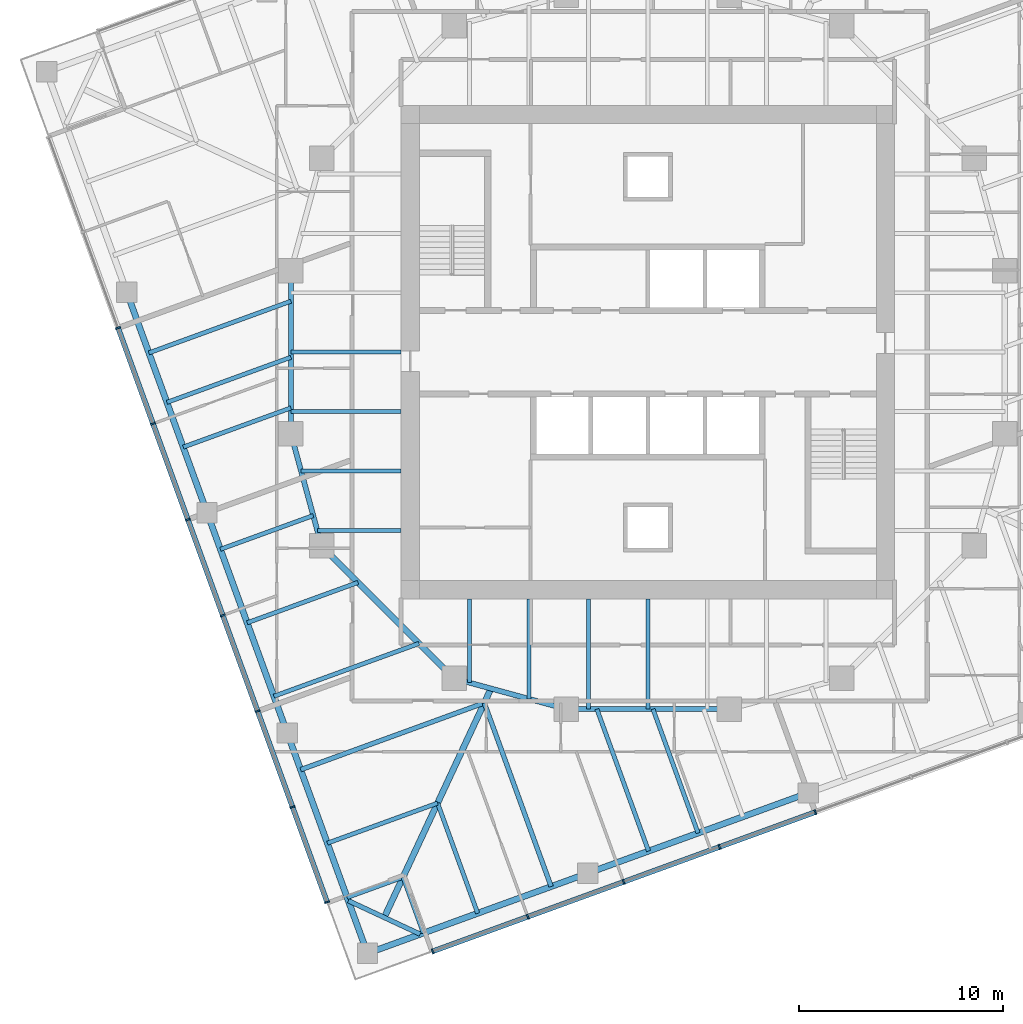
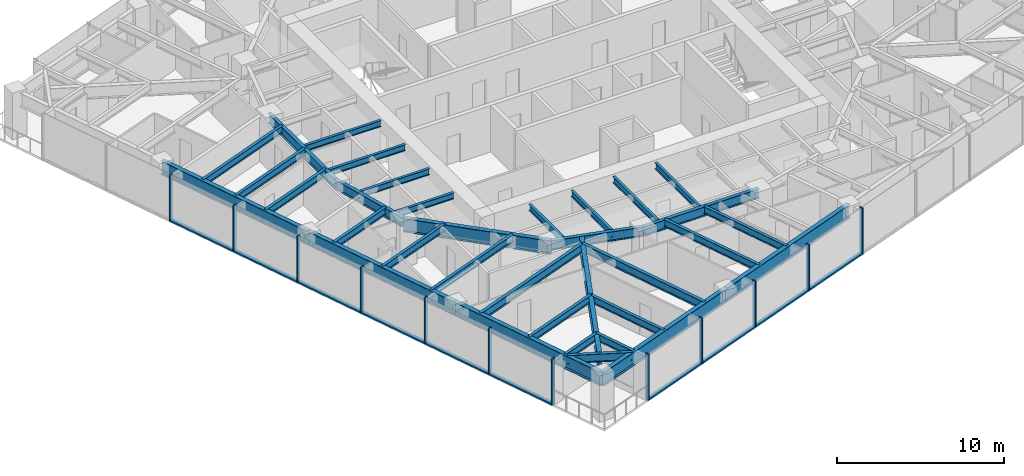
# One storey, part 2 of 13: 34 beams, 22 members, 2 elements without a shape of their own.
"""IFC4 building model written with IfcOpenShell, lengths in metres."""

from ifc_helpers import new_model, si_unit, direction, frame, origin, origin_2d, place, context, subcontext, project, spatial, rectangle, i_section, extrude, material, material_profile, profile_set, type_object, element, aggregate, save


model = new_model("IFC4")

# Units and contexts
model_context = context("Model", 3, precision=1e-05, world=origin(), true_north=direction((0.0, 1.0)))
body_context = subcontext(model_context, "Body", "Model", "MODEL_VIEW")
ifc_project = project(units=[si_unit("LENGTHUNIT", "METRE"), si_unit("AREAUNIT", "SQUARE_METRE"), si_unit("VOLUMEUNIT", "CUBIC_METRE"), si_unit("PLANEANGLEUNIT", "RADIAN"), si_unit("MASSUNIT", "GRAM", prefix="KILO")], contexts=[model_context])

# Site, building, storey
site_placement = place(None, origin())
site = spatial("IfcSite", under=ifc_project, at=site_placement, CompositionType="ELEMENT")
building_placement = place(site_placement, origin())
building = spatial("IfcBuilding", under=site, at=building_placement, Name="Torsade Residences", CompositionType="ELEMENT")
storey_placement = place(building_placement, frame((0.0, 0.0, 164.199951171875)))
storey = spatial("IfcBuildingStorey", under=building, at=storey_placement, Name="L45", CompositionType="ELEMENT", Elevation=164.199951171875)

# Beams
ifc_material_1 = material(Name="Steel grade 300", Category="steel")
ifc_material_profile_1 = material_profile(ifc_material_1, i_section(OverallWidth=0.300048828125, OverallDepth=0.89990234375, WebThickness=0.011962890625, FlangeThickness=0.02490234375, at=origin_2d()), Name="900WB175")
ifc_profile_set_1 = profile_set([ifc_material_profile_1], Name="Steel grade 300")
beam_type_1 = type_object("IfcBeamType", Name="CORNER GIRDER 900WB175", PredefinedType="BEAM", material=ifc_profile_set_1)
beam_1_placement = place(storey_placement, frame((27.075439453125, 2.282958984375, 2.800048828125), z_axis=(0.422616712682, 0.906308509373, 0.0), x_axis=(-0.906308509373, 0.422616712682, 0.0)))
element("IfcBeam", 1, at=beam_1_placement, inside=storey, type_object=beam_type_1, Name="Corner girder 01 L46", PredefinedType="BEAM", context=body_context, shape_type="SweptSolid", body=[
    extrude(i_section(OverallWidth=0.300048828125, OverallDepth=0.89990234375, WebThickness=0.011962890625, FlangeThickness=0.02490234375, at=origin_2d()), origin(), (0.0, 0.0, 1.0), 12.3837890625),
])
ifc_material_2 = material(Name="Steel grade 300", Category="steel")
ifc_material_profile_2 = material_profile(ifc_material_2, i_section(OverallWidth=0.22802734375, OverallDepth=0.60205078125, WebThickness=0.010498046875, FlangeThickness=0.014892578125, FilletRadius=0.013916015625, at=origin_2d()), Name="610UB101")
ifc_profile_set_2 = profile_set([ifc_material_profile_2], Name="Steel grade 300")
beam_type_2 = type_object("IfcBeamType", Name="CORNER TRIMMER 610UB101", PredefinedType="BEAM", material=ifc_profile_set_2)
beam_2_placement = place(storey_placement, frame((28.837646484375, 1.461181640625, 2.948974609375), z_axis=(-0.906309798645, 0.422613947806, 0.0), x_axis=(-0.422613947806, -0.906309798645, 0.0)))
element("IfcBeam", 2, at=beam_2_placement, inside=storey, type_object=beam_type_2, Name="Corner trimmer 01 L46", PredefinedType="BEAM", context=body_context, shape_type="SweptSolid", body=[
    extrude(i_section(OverallWidth=0.22802734375, OverallDepth=0.60205078125, WebThickness=0.010498046875, FlangeThickness=0.014892578125, FilletRadius=0.013916015625, at=origin_2d()), origin(), (0.0, 0.0, 1.0), 3.888916015625),
])
ifc_material_3 = material(Name="Steel grade 300", Category="steel")
ifc_material_profile_3 = material_profile(ifc_material_3, i_section(OverallWidth=0.300048828125, OverallDepth=1.0, WebThickness=0.01611328125, FlangeThickness=0.028076171875, at=origin_2d()), Name="1000WB215")
ifc_profile_set_3 = profile_set([ifc_material_profile_3], Name="Steel grade 300")
beam_type_3 = type_object("IfcBeamType", Name="EDGE BEAM 1000WB215", PredefinedType="SPANDREL", material=ifc_profile_set_3)
beam_3_placement = place(storey_placement, frame((26.25341796875, 0.5205078125, 2.75), z_axis=(0.93969110915, 0.342024296483, 0.0), x_axis=(-0.342024296483, 0.93969110915, 0.0)))
element("IfcBeam", 3, at=beam_3_placement, inside=storey, type_object=beam_type_3, Name="Edge beam 01 L46", PredefinedType="SPANDREL", context=body_context, shape_type="SweptSolid", body=[
    extrude(i_section(OverallWidth=0.300048828125, OverallDepth=1.0, WebThickness=0.01611328125, FlangeThickness=0.028076171875, at=origin_2d()), origin(), (0.0, 0.0, 1.0), 11.500244140625),
])
for number, where, z_axis, x_axis, name in (
    (4, (37.06005859375, 4.453857421875, 2.75), (0.939695448801, 0.342012373318, 0.0), (-0.342012373318, 0.939695448801, 0.0), "Edge beam 02 L46"),
    (5, (14.453857421875, 32.93994140625, 2.75), (0.342012373318, -0.939695448801, 0.0), (0.939695448801, 0.342012373318, 0.0), "Edge beam 14 L46"),
    (6, (18.386962890625, 22.133544921875, 2.75), (0.342031119628, -0.939688625666, 0.0), (0.939688625666, 0.342031119628, 0.0), "Edge beam 15 L46"),
    (7, (22.3203125, 11.3271484375, 2.75), (0.342005550448, -0.939697932031, 0.0), (0.939697932031, 0.342005550448, 0.0), "Edge beam 16 L46"),
):
    element("IfcBeam", number, at=place(storey_placement, frame(where, z_axis=z_axis, x_axis=x_axis)), inside=storey, type_object=beam_type_3, Name=name, PredefinedType="SPANDREL", context=body_context, shape_type="SweptSolid", body=[
        extrude(i_section(OverallWidth=0.300048828125, OverallDepth=1.0, WebThickness=0.01611328125, FlangeThickness=0.028076171875, at=origin_2d()), origin(), (0.0, 0.0, 1.0), 11.5),
    ])
ifc_material_4 = material(Name="Steel grade 300", Category="steel")
ifc_material_profile_4 = material_profile(ifc_material_4, i_section(OverallWidth=0.18994140625, OverallDepth=0.4541015625, WebThickness=0.008544921875, FlangeThickness=0.0126953125, FilletRadius=0.011474609375, at=origin_2d()), Name="460UB67.1")
ifc_profile_set_4 = profile_set([ifc_material_profile_4], Name="Steel grade 300")
beam_type_4 = type_object("IfcBeamType", Name="INNER FLOOR BEAM 460UB67.1", PredefinedType="JOIST", material=ifc_profile_set_4)
for number, where, z_axis, x_axis, name in (
    (8, (40.0, 17.89990234375, 3.02294921875), (0.0, -1.0, 0.0), (1.0, 0.0, 0.0), "Inner floor beam IS04 L46"),
    (9, (37.08740234375, 17.89990234375, 3.02294921875), (0.0, -1.0, 0.0), (1.0, 0.0, 0.0), "Inner floor beam IS05 L46"),
):
    element("IfcBeam", number, at=place(storey_placement, frame(where, z_axis=z_axis, x_axis=x_axis)), inside=storey, type_object=beam_type_4, Name=name, PredefinedType="JOIST", context=body_context, shape_type="SweptSolid", body=[
        extrude(i_section(OverallWidth=0.18994140625, OverallDepth=0.4541015625, WebThickness=0.008544921875, FlangeThickness=0.0126953125, FilletRadius=0.011474609375, at=origin_2d()), origin(), (0.0, 0.0, 1.0), 5.39990234375),
    ])
beam_4_placement = place(storey_placement, frame((34.175048828125, 17.89990234375, 3.02294921875), z_axis=(0.0, -1.0, 0.0), x_axis=(1.0, 0.0, 0.0)))
element("IfcBeam", 10, at=beam_4_placement, inside=storey, type_object=beam_type_4, Name="Inner floor beam IS06 L46", PredefinedType="JOIST", context=body_context, shape_type="SweptSolid", body=[
    extrude(i_section(OverallWidth=0.18994140625, OverallDepth=0.4541015625, WebThickness=0.008544921875, FlangeThickness=0.0126953125, FilletRadius=0.011474609375, at=origin_2d()), origin(), (0.0, 0.0, 1.0), 4.902099609375),
])
beam_5_placement = place(storey_placement, frame((31.262451171875, 17.89990234375, 3.02294921875), z_axis=(0.0, -1.0, 0.0), x_axis=(1.0, 0.0, 0.0)))
element("IfcBeam", 11, at=beam_5_placement, inside=storey, type_object=beam_type_4, Name="Inner floor beam IS07 L46", PredefinedType="JOIST", context=body_context, shape_type="SweptSolid", body=[
    extrude(i_section(OverallWidth=0.18994140625, OverallDepth=0.4541015625, WebThickness=0.008544921875, FlangeThickness=0.0126953125, FilletRadius=0.011474609375, at=origin_2d()), origin(), (0.0, 0.0, 1.0), 4.10791015625),
])
for number, where, z_axis, x_axis, name in (
    (12, (27.89990234375, 30.0, 3.02294921875), (-1.0, 0.0, 0.0), (0.0, -1.0, 0.0), "Inner floor beam IW04 L46"),
    (13, (27.89990234375, 27.08740234375, 3.02294921875), (-1.0, 0.0, 0.0), (0.0, -1.0, 0.0), "Inner floor beam IW05 L46"),
):
    element("IfcBeam", number, at=place(storey_placement, frame(where, z_axis=z_axis, x_axis=x_axis)), inside=storey, type_object=beam_type_4, Name=name, PredefinedType="JOIST", context=body_context, shape_type="SweptSolid", body=[
        extrude(i_section(OverallWidth=0.18994140625, OverallDepth=0.4541015625, WebThickness=0.008544921875, FlangeThickness=0.0126953125, FilletRadius=0.011474609375, at=origin_2d()), origin(), (0.0, 0.0, 1.0), 5.39990234375),
    ])
beam_6_placement = place(storey_placement, frame((27.89990234375, 24.175048828125, 3.02294921875), z_axis=(-1.0, 0.0, 0.0), x_axis=(0.0, -1.0, 0.0)))
element("IfcBeam", 14, at=beam_6_placement, inside=storey, type_object=beam_type_4, Name="Inner floor beam IW06 L46", PredefinedType="JOIST", context=body_context, shape_type="SweptSolid", body=[
    extrude(i_section(OverallWidth=0.18994140625, OverallDepth=0.4541015625, WebThickness=0.008544921875, FlangeThickness=0.0126953125, FilletRadius=0.011474609375, at=origin_2d()), origin(), (0.0, 0.0, 1.0), 4.902099609375),
])
beam_7_placement = place(storey_placement, frame((27.89990234375, 21.262451171875, 3.02294921875), z_axis=(-1.0, 0.0, 0.0), x_axis=(0.0, -1.0, 0.0)))
element("IfcBeam", 15, at=beam_7_placement, inside=storey, type_object=beam_type_4, Name="Inner floor beam IW07 L46", PredefinedType="JOIST", context=body_context, shape_type="SweptSolid", body=[
    extrude(i_section(OverallWidth=0.18994140625, OverallDepth=0.4541015625, WebThickness=0.008544921875, FlangeThickness=0.0126953125, FilletRadius=0.011474609375, at=origin_2d()), origin(), (0.0, 0.0, 1.0), 4.10791015625),
])

# Curtain wall, members
ifc_material_5 = material(Name="Aluminium and glass", Category="aluminium")
curtain_wall_type = type_object("IfcCurtainWallType", Name="FRITTED GLASS CURTAIN WALL MID ZONE", PredefinedType="NOTDEFINED", material=ifc_material_5)
curtain_wall_1_placement = place(storey_placement, origin())
curtain_wall_1 = element("IfcCurtainWall", 16, at=curtain_wall_1_placement, inside=storey, type_object=curtain_wall_type, Name="Curtain wall L45 face 1", PredefinedType="NOTDEFINED")
ifc_material_6 = material(Name="Aluminium mullion", Category="aluminium")
ifc_material_profile_5 = material_profile(ifc_material_6, rectangle(XDim=0.25, YDim=0.080078125, at=origin_2d()), Name="MID ZONE CURTAIN WALL MULLION 250x80")
ifc_profile_set_5 = profile_set([ifc_material_profile_5], Name="Aluminium mullion")
member_type_1 = type_object("IfcMemberType", Name="MID ZONE CURTAIN WALL MULLION 250x80", PredefinedType="MULLION", material=ifc_profile_set_5)
member_1_placement = place(storey_placement, frame((29.4521484375, 0.62060546875, 0.0), z_axis=(0.0, 0.0, 1.0), x_axis=(-0.342020147869, 0.939692619132, 0.0)))
member_1 = element("IfcMember", 17, at=member_1_placement, type_object=member_type_1, Name="Mullion 1", PredefinedType="MULLION", context=body_context, shape_type="SweptSolid", body=[
    extrude(rectangle(XDim=0.25, YDim=0.080078125, at=origin_2d()), origin(), (0.0, 0.0, 1.0), 3.400146484375),
])
member_2_placement = place(storey_placement, frame((34.113037109375, 2.317138671875, 0.0), z_axis=(0.0, 0.0, 1.0), x_axis=(-0.342020147869, 0.939692619132, 0.0)))
member_2 = element("IfcMember", 18, at=member_2_placement, type_object=member_type_1, Name="Mullion 2", PredefinedType="MULLION", context=body_context, shape_type="SweptSolid", body=[
    extrude(rectangle(XDim=0.25, YDim=0.080078125, at=origin_2d()), origin(), (0.0, 0.0, 1.0), 3.400146484375),
])
member_3_placement = place(storey_placement, frame((38.8115234375, 4.027099609375, 0.0), z_axis=(0.0, 0.0, 1.0), x_axis=(-0.342020147869, 0.939692619132, 0.0)))
member_3 = element("IfcMember", 19, at=member_3_placement, type_object=member_type_1, Name="Mullion 3", PredefinedType="MULLION", context=body_context, shape_type="SweptSolid", body=[
    extrude(rectangle(XDim=0.25, YDim=0.080078125, at=origin_2d()), origin(), (0.0, 0.0, 1.0), 3.400146484375),
])
member_4_placement = place(storey_placement, frame((43.510009765625, 5.7373046875, 0.0), z_axis=(0.0, 0.0, 1.0), x_axis=(-0.342020147869, 0.939692619132, 0.0)))
member_4 = element("IfcMember", 20, at=member_4_placement, type_object=member_type_1, Name="Mullion 4", PredefinedType="MULLION", context=body_context, shape_type="SweptSolid", body=[
    extrude(rectangle(XDim=0.25, YDim=0.080078125, at=origin_2d()), origin(), (0.0, 0.0, 1.0), 3.400146484375),
])
member_5_placement = place(storey_placement, frame((48.20849609375, 7.447265625, 0.0), z_axis=(0.0, 0.0, 1.0), x_axis=(-0.342020147869, 0.939692619132, 0.0)))
member_5 = element("IfcMember", 21, at=member_5_placement, type_object=member_type_1, Name="Mullion 5", PredefinedType="MULLION", context=body_context, shape_type="SweptSolid", body=[
    extrude(rectangle(XDim=0.25, YDim=0.080078125, at=origin_2d()), origin(), (0.0, 0.0, 1.0), 3.400146484375),
])

curtain_wall_2_placement = place(storey_placement, origin())
curtain_wall_2 = element("IfcCurtainWall", 22, at=curtain_wall_2_placement, inside=storey, type_object=curtain_wall_type, Name="Curtain wall L45 face 10", PredefinedType="NOTDEFINED")
member_6_placement = place(storey_placement, frame((14.027099609375, 31.1884765625, 0.0), z_axis=(0.0, 0.0, 1.0), x_axis=(0.939692619132, 0.342020147869, 0.0)))
member_6 = element("IfcMember", 23, at=member_6_placement, type_object=member_type_1, Name="Mullion 3", PredefinedType="MULLION", context=body_context, shape_type="SweptSolid", body=[
    extrude(rectangle(XDim=0.25, YDim=0.080078125, at=origin_2d()), origin(), (0.0, 0.0, 1.0), 3.400146484375),
])
member_7_placement = place(storey_placement, frame((15.7373046875, 26.489990234375, 0.0), z_axis=(0.0, 0.0, 1.0), x_axis=(0.939692619132, 0.342020147869, 0.0)))
member_7 = element("IfcMember", 24, at=member_7_placement, type_object=member_type_1, Name="Mullion 4", PredefinedType="MULLION", context=body_context, shape_type="SweptSolid", body=[
    extrude(rectangle(XDim=0.25, YDim=0.080078125, at=origin_2d()), origin(), (0.0, 0.0, 1.0), 3.400146484375),
])
member_8_placement = place(storey_placement, frame((17.447265625, 21.79150390625, 0.0), z_axis=(0.0, 0.0, 1.0), x_axis=(0.939692619132, 0.342020147869, 0.0)))
member_8 = element("IfcMember", 25, at=member_8_placement, type_object=member_type_1, Name="Mullion 5", PredefinedType="MULLION", context=body_context, shape_type="SweptSolid", body=[
    extrude(rectangle(XDim=0.25, YDim=0.080078125, at=origin_2d()), origin(), (0.0, 0.0, 1.0), 3.400146484375),
])
member_9_placement = place(storey_placement, frame((19.157470703125, 17.093017578125, 0.0), z_axis=(0.0, 0.0, 1.0), x_axis=(0.939692619132, 0.342020147869, 0.0)))
member_9 = element("IfcMember", 26, at=member_9_placement, type_object=member_type_1, Name="Mullion 6", PredefinedType="MULLION", context=body_context, shape_type="SweptSolid", body=[
    extrude(rectangle(XDim=0.25, YDim=0.080078125, at=origin_2d()), origin(), (0.0, 0.0, 1.0), 3.400146484375),
])
member_10_placement = place(storey_placement, frame((20.86767578125, 12.39453125, 0.0), z_axis=(0.0, 0.0, 1.0), x_axis=(0.939692619132, 0.342020147869, 0.0)))
member_10 = element("IfcMember", 27, at=member_10_placement, type_object=member_type_1, Name="Mullion 7", PredefinedType="MULLION", context=body_context, shape_type="SweptSolid", body=[
    extrude(rectangle(XDim=0.25, YDim=0.080078125, at=origin_2d()), origin(), (0.0, 0.0, 1.0), 3.400146484375),
])
member_11_placement = place(storey_placement, frame((22.57763671875, 7.696044921875, 0.0), z_axis=(0.0, 0.0, 1.0), x_axis=(0.939692619132, 0.342020147869, 0.0)))
member_11 = element("IfcMember", 28, at=member_11_placement, type_object=member_type_1, Name="Mullion 8", PredefinedType="MULLION", context=body_context, shape_type="SweptSolid", body=[
    extrude(rectangle(XDim=0.25, YDim=0.080078125, at=origin_2d()), origin(), (0.0, 0.0, 1.0), 3.400146484375),
])
member_12_placement = place(storey_placement, frame((24.274169921875, 3.03515625, 0.0), z_axis=(0.0, 0.0, 1.0), x_axis=(0.939692619132, 0.342020147869, 0.0)))
member_12 = element("IfcMember", 29, at=member_12_placement, type_object=member_type_1, Name="Mullion 9", PredefinedType="MULLION", context=body_context, shape_type="SweptSolid", body=[
    extrude(rectangle(XDim=0.25, YDim=0.080078125, at=origin_2d()), origin(), (0.0, 0.0, 1.0), 3.400146484375),
])

# Member
ifc_material_7 = material(Name="Aluminium transom", Category="aluminium")
ifc_material_profile_6 = material_profile(ifc_material_7, rectangle(XDim=0.25, YDim=0.110107421875, at=origin_2d()), Name="MID ZONE CURTAIN WALL TRANSOM 250x110")
ifc_profile_set_6 = profile_set([ifc_material_profile_6], Name="Aluminium transom")
member_type_2 = type_object("IfcMemberType", Name="MID ZONE CURTAIN WALL TRANSOM 250x110", PredefinedType="USERDEFINED", material=ifc_profile_set_6)
member_13_placement = place(storey_placement, frame((29.48974609375, 0.63427734375, 0.054931640625), z_axis=(0.939683823915, 0.342044311564, 0.0), x_axis=(-0.342044311564, 0.939683823915, 0.0)))
member_13 = element("IfcMember", 30, at=member_13_placement, type_object=member_type_2, Name="Transom 1.1", ObjectType="TRANSOM", PredefinedType="USERDEFINED", context=body_context, shape_type="SweptSolid", body=[
    extrude(rectangle(XDim=0.25, YDim=0.110107421875, at=origin_2d()), origin(), (0.0, 0.0, 1.0), 4.880126953125),
])

member_14_placement = place(storey_placement, frame((34.150634765625, 2.330810546875, 0.054931640625), z_axis=(0.9397006637, 0.341998044792, 0.0), x_axis=(-0.341998044792, 0.9397006637, 0.0)))
member_14 = element("IfcMember", 31, at=member_14_placement, type_object=member_type_2, Name="Transom 2.1", ObjectType="TRANSOM", PredefinedType="USERDEFINED", context=body_context, shape_type="SweptSolid", body=[
    extrude(rectangle(XDim=0.25, YDim=0.110107421875, at=origin_2d()), origin(), (0.0, 0.0, 1.0), 4.919921875),
])

member_15_placement = place(storey_placement, frame((38.84912109375, 4.040771484375, 0.054931640625), z_axis=(0.93968471549, 0.342041862168, 0.0), x_axis=(-0.342041862168, 0.93968471549, 0.0)))
member_15 = element("IfcMember", 32, at=member_15_placement, type_object=member_type_2, Name="Transom 3.1", ObjectType="TRANSOM", PredefinedType="USERDEFINED", context=body_context, shape_type="SweptSolid", body=[
    extrude(rectangle(XDim=0.25, YDim=0.110107421875, at=origin_2d()), origin(), (0.0, 0.0, 1.0), 4.920166015625),
])

member_16_placement = place(storey_placement, frame((43.547607421875, 5.7509765625, 0.054931640625), z_axis=(0.9397006637, 0.341998044792, 0.0), x_axis=(-0.341998044792, 0.9397006637, 0.0)))
member_16 = element("IfcMember", 33, at=member_16_placement, type_object=member_type_2, Name="Transom 4.1", ObjectType="TRANSOM", PredefinedType="USERDEFINED", context=body_context, shape_type="SweptSolid", body=[
    extrude(rectangle(XDim=0.25, YDim=0.110107421875, at=origin_2d()), origin(), (0.0, 0.0, 1.0), 4.919921875),
])

aggregate(curtain_wall_1, [member_1, member_2, member_3, member_4, member_5, member_13, member_14, member_15, member_16])

member_17_placement = place(storey_placement, frame((14.040771484375, 31.15087890625, 0.054931640625), z_axis=(0.342041862168, -0.93968471549, 0.0), x_axis=(0.93968471549, 0.342041862168, 0.0)))
member_17 = element("IfcMember", 34, at=member_17_placement, type_object=member_type_2, Name="Transom 3.1", ObjectType="TRANSOM", PredefinedType="USERDEFINED", context=body_context, shape_type="SweptSolid", body=[
    extrude(rectangle(XDim=0.25, YDim=0.110107421875, at=origin_2d()), origin(), (0.0, 0.0, 1.0), 4.920166015625),
])

member_18_placement = place(storey_placement, frame((15.7509765625, 26.452392578125, 0.054931640625), z_axis=(0.341998044792, -0.9397006637, 0.0), x_axis=(0.9397006637, 0.341998044792, 0.0)))
member_18 = element("IfcMember", 35, at=member_18_placement, type_object=member_type_2, Name="Transom 4.1", ObjectType="TRANSOM", PredefinedType="USERDEFINED", context=body_context, shape_type="SweptSolid", body=[
    extrude(rectangle(XDim=0.25, YDim=0.110107421875, at=origin_2d()), origin(), (0.0, 0.0, 1.0), 4.919921875),
])

member_19_placement = place(storey_placement, frame((17.4609375, 21.75390625, 0.054931640625), z_axis=(0.342041862168, -0.93968471549, 0.0), x_axis=(0.93968471549, 0.342041862168, 0.0)))
member_19 = element("IfcMember", 36, at=member_19_placement, type_object=member_type_2, Name="Transom 5.1", ObjectType="TRANSOM", PredefinedType="USERDEFINED", context=body_context, shape_type="SweptSolid", body=[
    extrude(rectangle(XDim=0.25, YDim=0.110107421875, at=origin_2d()), origin(), (0.0, 0.0, 1.0), 4.920166015625),
])

member_20_placement = place(storey_placement, frame((19.171142578125, 17.055419921875, 0.054931640625), z_axis=(0.342041862168, -0.93968471549, 0.0), x_axis=(0.93968471549, 0.342041862168, 0.0)))
member_20 = element("IfcMember", 37, at=member_20_placement, type_object=member_type_2, Name="Transom 6.1", ObjectType="TRANSOM", PredefinedType="USERDEFINED", context=body_context, shape_type="SweptSolid", body=[
    extrude(rectangle(XDim=0.25, YDim=0.110107421875, at=origin_2d()), origin(), (0.0, 0.0, 1.0), 4.920166015625),
])

member_21_placement = place(storey_placement, frame((20.88134765625, 12.35693359375, 0.054931640625), z_axis=(0.341998044792, -0.9397006637, 0.0), x_axis=(0.9397006637, 0.341998044792, 0.0)))
member_21 = element("IfcMember", 38, at=member_21_placement, type_object=member_type_2, Name="Transom 7.1", ObjectType="TRANSOM", PredefinedType="USERDEFINED", context=body_context, shape_type="SweptSolid", body=[
    extrude(rectangle(XDim=0.25, YDim=0.110107421875, at=origin_2d()), origin(), (0.0, 0.0, 1.0), 4.919921875),
])

member_22_placement = place(storey_placement, frame((22.59130859375, 7.658447265625, 0.054931640625), z_axis=(0.342044311564, -0.939683823915, 0.0), x_axis=(0.939683823915, 0.342044311564, 0.0)))
member_22 = element("IfcMember", 39, at=member_22_placement, type_object=member_type_2, Name="Transom 8.1", ObjectType="TRANSOM", PredefinedType="USERDEFINED", context=body_context, shape_type="SweptSolid", body=[
    extrude(rectangle(XDim=0.25, YDim=0.110107421875, at=origin_2d()), origin(), (0.0, 0.0, 1.0), 4.880126953125),
])

aggregate(curtain_wall_2, [member_6, member_7, member_8, member_9, member_10, member_11, member_12, member_17, member_18, member_19, member_20, member_21, member_22])

# Beams
ifc_material_8 = material(Name="Steel grade 300", Category="steel")
ifc_material_profile_7 = material_profile(ifc_material_8, i_section(OverallWidth=0.300048828125, OverallDepth=1.0, WebThickness=0.01611328125, FlangeThickness=0.028076171875, at=origin_2d()), Name="1000WB215")
ifc_profile_set_7 = profile_set([ifc_material_profile_7], Name="Steel grade 300")
beam_type_5 = type_object("IfcBeamType", Name="RING CORNER GIRDER 1000WB215", PredefinedType="BEAM", material=ifc_profile_set_7)
beam_8_placement = place(storey_placement, frame((24.0, 20.5, 2.75), z_axis=(0.707106781187, -0.707106781187, 0.0), x_axis=(0.707106781187, 0.707106781187, 0.0)))
element("IfcBeam", 40, at=beam_8_placement, inside=storey, type_object=beam_type_5, Name="Ring girder IR11 L46", PredefinedType="BEAM", context=body_context, shape_type="SweptSolid", body=[
    extrude(i_section(OverallWidth=0.300048828125, OverallDepth=1.0, WebThickness=0.01611328125, FlangeThickness=0.028076171875, at=origin_2d()), origin(), (0.0, 0.0, 1.0), 9.1923828125),
])
ifc_material_9 = material(Name="Steel grade 300", Category="steel")
ifc_material_profile_8 = material_profile(ifc_material_9, i_section(OverallWidth=0.25, OverallDepth=0.699951171875, WebThickness=0.010009765625, FlangeThickness=0.02001953125, at=origin_2d()), Name="700WB130")
ifc_profile_set_8 = profile_set([ifc_material_profile_8], Name="Steel grade 300")
beam_type_6 = type_object("IfcBeamType", Name="RING GIRDER 700WB130", PredefinedType="BEAM", material=ifc_profile_set_8)
beam_9_placement = place(storey_placement, frame((22.5, 34.0, 2.900146484375), z_axis=(0.0, -1.0, 0.0), x_axis=(1.0, 0.0, 0.0)))
element("IfcBeam", 41, at=beam_9_placement, inside=storey, type_object=beam_type_6, Name="Ring girder IR09 L46", PredefinedType="BEAM", context=body_context, shape_type="SweptSolid", body=[
    extrude(i_section(OverallWidth=0.25, OverallDepth=0.699951171875, WebThickness=0.010009765625, FlangeThickness=0.02001953125, at=origin_2d()), origin(), (0.0, 0.0, 1.0), 8.0),
])
for number, where, z_axis, x_axis, name in (
    (42, (22.5, 26.0, 2.900146484375), (0.263117405792, -0.964763821238, 0.0), (0.964763821238, 0.263117405792, 0.0), "Ring girder IR10 L46"),
    (43, (30.5, 14.0, 2.900146484375), (0.964763821238, -0.263117405792, 0.0), (0.263117405792, 0.964763821238, 0.0), "Ring girder IR12 L46"),
):
    element("IfcBeam", number, at=place(storey_placement, frame(where, z_axis=z_axis, x_axis=x_axis)), inside=storey, type_object=beam_type_6, Name=name, PredefinedType="BEAM", context=body_context, shape_type="SweptSolid", body=[
        extrude(i_section(OverallWidth=0.25, OverallDepth=0.699951171875, WebThickness=0.010009765625, FlangeThickness=0.02001953125, at=origin_2d()), origin(), (0.0, 0.0, 1.0), 5.700927734375),
    ])
beam_10_placement = place(storey_placement, frame((36.0, 12.5, 2.900146484375), z_axis=(1.0, 0.0, 0.0), x_axis=(0.0, 1.0, 0.0)))
element("IfcBeam", 44, at=beam_10_placement, inside=storey, type_object=beam_type_6, Name="Ring girder IR13 L46", PredefinedType="BEAM", context=body_context, shape_type="SweptSolid", body=[
    extrude(i_section(OverallWidth=0.25, OverallDepth=0.699951171875, WebThickness=0.010009765625, FlangeThickness=0.02001953125, at=origin_2d()), origin(), (0.0, 0.0, 1.0), 8.0),
])
ifc_material_10 = material(Name="Steel grade 300", Category="steel")
ifc_material_profile_9 = material_profile(ifc_material_10, i_section(OverallWidth=0.208984375, OverallDepth=0.528076171875, WebThickness=0.009521484375, FlangeThickness=0.01318359375, FilletRadius=0.013916015625, at=origin_2d()), Name="530UB82.0")
ifc_profile_set_9 = profile_set([ifc_material_profile_9], Name="Steel grade 300")
beam_type_7 = type_object("IfcBeamType", Name="SECONDARY BEAM 530UB82.0", PredefinedType="JOIST", material=ifc_profile_set_9)
beam_11_placement = place(storey_placement, frame((28.994384765625, 1.51806640625, 2.986083984375), z_axis=(-0.341998427281, 0.939700524495, 0.0), x_axis=(-0.939700524495, -0.341998427281, 0.0)))
element("IfcBeam", 45, at=beam_11_placement, inside=storey, type_object=beam_type_7, Name="Floor beam FS01 L46", PredefinedType="JOIST", context=body_context, shape_type="SweptSolid", body=[
    extrude(i_section(OverallWidth=0.208984375, OverallDepth=0.528076171875, WebThickness=0.009521484375, FlangeThickness=0.01318359375, FilletRadius=0.013916015625, at=origin_2d()), origin(), (0.0, 0.0, 1.0), 2.916748046875),
])
beam_12_placement = place(storey_placement, frame((31.65673828125, 2.4873046875, 2.986083984375), z_axis=(-0.342019196443, 0.939692965423, 0.0), x_axis=(-0.939692965423, -0.342019196443, 0.0)))
element("IfcBeam", 46, at=beam_12_placement, inside=storey, type_object=beam_type_7, Name="Floor beam FS02 L46", PredefinedType="JOIST", context=body_context, shape_type="SweptSolid", body=[
    extrude(i_section(OverallWidth=0.208984375, OverallDepth=0.528076171875, WebThickness=0.009521484375, FlangeThickness=0.01318359375, FilletRadius=0.013916015625, at=origin_2d()), origin(), (0.0, 0.0, 1.0), 5.749755859375),
])
beam_13_placement = place(storey_placement, frame((40.03564453125, 5.536865234375, 2.986083984375), z_axis=(-0.342026105929, 0.939690450554, 0.0), x_axis=(-0.939690450554, -0.342026105929, 0.0)))
element("IfcBeam", 47, at=beam_13_placement, inside=storey, type_object=beam_type_7, Name="Floor beam FS04 L46", PredefinedType="JOIST", context=body_context, shape_type="SweptSolid", body=[
    extrude(i_section(OverallWidth=0.208984375, OverallDepth=0.528076171875, WebThickness=0.009521484375, FlangeThickness=0.01318359375, FilletRadius=0.013916015625, at=origin_2d()), origin(), (0.0, 0.0, 1.0), 7.409912109375),
])
beam_14_placement = place(storey_placement, frame((42.463134765625, 6.42041015625, 2.986083984375), z_axis=(-0.342000590983, 0.939699737026, 0.0), x_axis=(-0.939699737026, -0.342000590983, 0.0)))
element("IfcBeam", 48, at=beam_14_placement, inside=storey, type_object=beam_type_7, Name="Floor beam FS05 L46", PredefinedType="JOIST", context=body_context, shape_type="SweptSolid", body=[
    extrude(i_section(OverallWidth=0.208984375, OverallDepth=0.528076171875, WebThickness=0.009521484375, FlangeThickness=0.01318359375, FilletRadius=0.013916015625, at=origin_2d()), origin(), (0.0, 0.0, 1.0), 6.4697265625),
])
beam_15_placement = place(storey_placement, frame((15.536865234375, 29.96435546875, 2.986083984375), z_axis=(0.939690450554, 0.342026105929, 0.0), x_axis=(-0.342026105929, 0.939690450554, 0.0)))
element("IfcBeam", 49, at=beam_15_placement, inside=storey, type_object=beam_type_7, Name="Floor beam FW04 L46", PredefinedType="JOIST", context=body_context, shape_type="SweptSolid", body=[
    extrude(i_section(OverallWidth=0.208984375, OverallDepth=0.528076171875, WebThickness=0.009521484375, FlangeThickness=0.01318359375, FilletRadius=0.013916015625, at=origin_2d()), origin(), (0.0, 0.0, 1.0), 7.409912109375),
])
beam_16_placement = place(storey_placement, frame((16.42041015625, 27.536865234375, 2.986083984375), z_axis=(0.939699737026, 0.342000590983, 0.0), x_axis=(-0.342000590983, 0.939699737026, 0.0)))
element("IfcBeam", 50, at=beam_16_placement, inside=storey, type_object=beam_type_7, Name="Floor beam FW05 L46", PredefinedType="JOIST", context=body_context, shape_type="SweptSolid", body=[
    extrude(i_section(OverallWidth=0.208984375, OverallDepth=0.528076171875, WebThickness=0.009521484375, FlangeThickness=0.01318359375, FilletRadius=0.013916015625, at=origin_2d()), origin(), (0.0, 0.0, 1.0), 6.4697265625),
])
beam_17_placement = place(storey_placement, frame((17.218505859375, 25.34423828125, 2.986083984375), z_axis=(0.939703343336, 0.341990681925, 0.0), x_axis=(-0.341990681925, 0.939703343336, 0.0)))
element("IfcBeam", 51, at=beam_17_placement, inside=storey, type_object=beam_type_7, Name="Floor beam FW06 L46", PredefinedType="JOIST", context=body_context, shape_type="SweptSolid", body=[
    extrude(i_section(OverallWidth=0.208984375, OverallDepth=0.528076171875, WebThickness=0.009521484375, FlangeThickness=0.01318359375, FilletRadius=0.013916015625, at=origin_2d()), origin(), (0.0, 0.0, 1.0), 5.620361328125),
])
beam_18_placement = place(storey_placement, frame((19.042724609375, 20.33251953125, 2.986083984375), z_axis=(0.939694777187, 0.342014218604, 0.0), x_axis=(-0.342014218604, 0.939694777187, 0.0)))
element("IfcBeam", 52, at=beam_18_placement, inside=storey, type_object=beam_type_7, Name="Floor beam FW07 L46", PredefinedType="JOIST", context=body_context, shape_type="SweptSolid", body=[
    extrude(i_section(OverallWidth=0.208984375, OverallDepth=0.528076171875, WebThickness=0.009521484375, FlangeThickness=0.01318359375, FilletRadius=0.013916015625, at=origin_2d()), origin(), (0.0, 0.0, 1.0), 4.84326171875),
])
beam_19_placement = place(storey_placement, frame((20.353759765625, 16.730224609375, 2.986083984375), z_axis=(0.939687428295, 0.342034409239, 0.0), x_axis=(-0.342034409239, 0.939687428295, 0.0)))
element("IfcBeam", 53, at=beam_19_placement, inside=storey, type_object=beam_type_7, Name="Floor beam FW08 L46", PredefinedType="JOIST", context=body_context, shape_type="SweptSolid", body=[
    extrude(i_section(OverallWidth=0.208984375, OverallDepth=0.528076171875, WebThickness=0.009521484375, FlangeThickness=0.01318359375, FilletRadius=0.013916015625, at=origin_2d()), origin(), (0.0, 0.0, 1.0), 5.785888671875),
])
beam_20_placement = place(storey_placement, frame((21.664794921875, 13.128173828125, 2.986083984375), z_axis=(0.939689847531, 0.342027762686, 0.0), x_axis=(-0.342027762686, 0.939689847531, 0.0)))
element("IfcBeam", 54, at=beam_20_placement, inside=storey, type_object=beam_type_7, Name="Floor beam FW09 L46", PredefinedType="JOIST", context=body_context, shape_type="SweptSolid", body=[
    extrude(i_section(OverallWidth=0.208984375, OverallDepth=0.528076171875, WebThickness=0.009521484375, FlangeThickness=0.01318359375, FilletRadius=0.013916015625, at=origin_2d()), origin(), (0.0, 0.0, 1.0), 7.573486328125),
])
beam_21_placement = place(storey_placement, frame((24.286865234375, 5.923828125, 2.986083984375), z_axis=(0.939697932031, 0.342005550448, 0.0), x_axis=(-0.342005550448, 0.939697932031, 0.0)))
element("IfcBeam", 55, at=beam_21_placement, inside=storey, type_object=beam_type_7, Name="Floor beam FW11 L46", PredefinedType="JOIST", context=body_context, shape_type="SweptSolid", body=[
    extrude(i_section(OverallWidth=0.208984375, OverallDepth=0.528076171875, WebThickness=0.009521484375, FlangeThickness=0.01318359375, FilletRadius=0.013916015625, at=origin_2d()), origin(), (0.0, 0.0, 1.0), 5.75),
])
beam_22_placement = place(storey_placement, frame((25.255859375, 3.261474609375, 2.986083984375), z_axis=(0.939700524495, 0.341998427281, 0.0), x_axis=(-0.341998427281, 0.939700524495, 0.0)))
element("IfcBeam", 56, at=beam_22_placement, inside=storey, type_object=beam_type_7, Name="Floor beam FW12 L46", PredefinedType="JOIST", context=body_context, shape_type="SweptSolid", body=[
    extrude(i_section(OverallWidth=0.208984375, OverallDepth=0.528076171875, WebThickness=0.009521484375, FlangeThickness=0.01318359375, FilletRadius=0.013916015625, at=origin_2d()), origin(), (0.0, 0.0, 1.0), 2.916748046875),
])
ifc_material_11 = material(Name="Steel grade 300", Category="steel")
ifc_material_profile_10 = material_profile(ifc_material_11, i_section(OverallWidth=0.22900390625, OverallDepth=0.612060546875, WebThickness=0.011962890625, FlangeThickness=0.01953125, FilletRadius=0.013916015625, at=origin_2d()), Name="610UB125")
ifc_profile_set_10 = profile_set([ifc_material_profile_10], Name="Steel grade 300")
beam_type_8 = type_object("IfcBeamType", Name="SECONDARY BEAM 610UB125", PredefinedType="JOIST", material=ifc_profile_set_10)
for number, where, z_axis, x_axis, name in (
    (57, (35.259033203125, 3.79833984375, 2.944091796875), (-0.342033504181, 0.939687757725, 0.0), (-0.939687757725, -0.342033504181, 0.0), "Floor beam FS03 L46"),
    (58, (22.975830078125, 9.52587890625, 2.944091796875), (0.939687757725, 0.342033504181, 0.0), (-0.342033504181, 0.939687757725, 0.0), "Floor beam FW10 L46"),
):
    element("IfcBeam", number, at=place(storey_placement, frame(where, z_axis=z_axis, x_axis=x_axis)), inside=storey, type_object=beam_type_8, Name=name, PredefinedType="JOIST", context=body_context, shape_type="SweptSolid", body=[
        extrude(i_section(OverallWidth=0.22900390625, OverallDepth=0.612060546875, WebThickness=0.011962890625, FlangeThickness=0.01953125, FilletRadius=0.013916015625, at=origin_2d()), origin(), (0.0, 0.0, 1.0), 9.583251953125),
    ])

save(model, "model.ifc")
